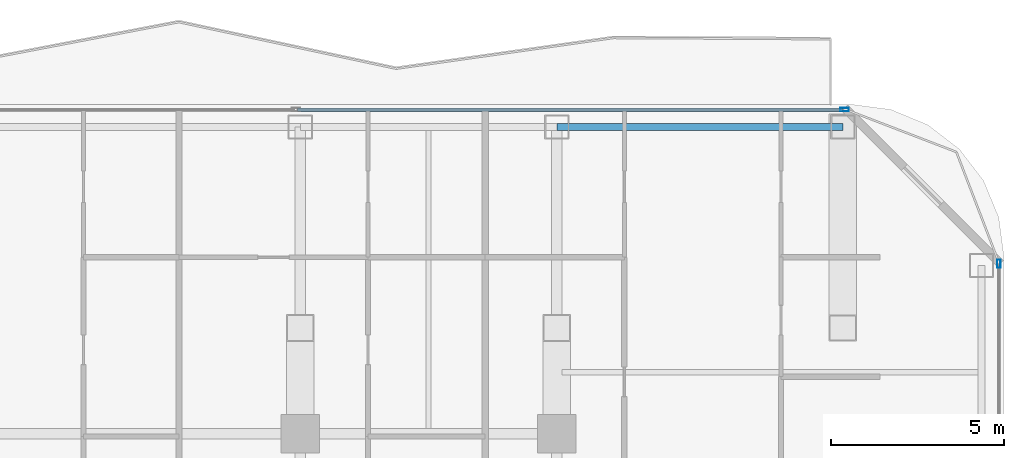
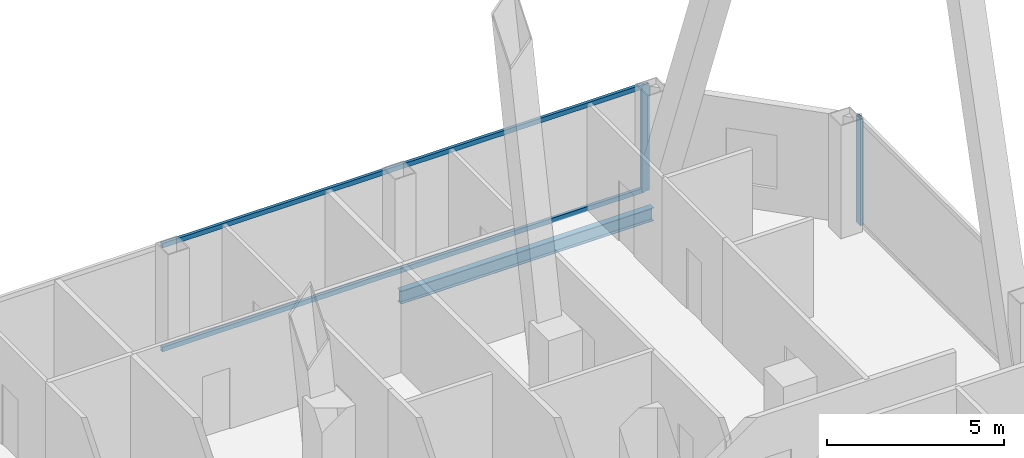
# One storey, part 19 of 28: 4 members, 1 beam, 2 elements without a shape of their own.
"""IFC4 building model written with IfcOpenShell, lengths in metres."""

from ifc_helpers import new_model, si_unit, direction, frame, origin, origin_2d, place, context, subcontext, project, spatial, hollow_rectangle, i_section, extrude, material, layer, layer_set, material_profile, profile_set, type_object, element, aggregate, save


model = new_model("IFC4")

# Units and contexts
model_context = context("Model", 3, precision=1e-05, world=origin(), true_north=direction((0.0, 1.0)))
body_context = subcontext(model_context, "Body", "Model", "MODEL_VIEW")
ifc_project = project(units=[si_unit("LENGTHUNIT", "METRE"), si_unit("AREAUNIT", "SQUARE_METRE"), si_unit("VOLUMEUNIT", "CUBIC_METRE"), si_unit("PLANEANGLEUNIT", "RADIAN"), si_unit("MASSUNIT", "GRAM", prefix="KILO")], contexts=[model_context])

# Site, building, storey
site_placement = place(None, origin())
site = spatial("IfcSite", under=ifc_project, at=site_placement, CompositionType="ELEMENT")
building_placement = place(site_placement, origin())
building = spatial("IfcBuilding", under=site, at=building_placement, Name="Khorvyn Point Tower", CompositionType="ELEMENT")
storey_placement = place(building_placement, frame((0.0, 0.0, 121.199951171875)))
storey = spatial("IfcBuildingStorey", under=building, at=storey_placement, Name="L30", CompositionType="ELEMENT", Elevation=121.199951171875)

# Curtain wall, member
ifc_material_1 = material(Name="Anodised aluminium 6063-T6 and laminated Low-E glass", Category="aluminium")
ifc_layer = layer(ifc_material_1, 0.18994140625)
ifc_layer_set = layer_set([ifc_layer], Name="Stick-Built Acoustic Curtain Wall CW-SYS-03")
curtain_wall_type = type_object("IfcCurtainWallType", Name="Stick-Built Acoustic Curtain Wall CW-SYS-03", PredefinedType="NOTDEFINED", material=ifc_layer_set)
curtain_wall_1_placement = place(storey_placement, origin())
curtain_wall_1 = element("IfcCurtainWall", 1, at=curtain_wall_1_placement, inside=storey, type_object=curtain_wall_type, Name="Curtain Wall", PredefinedType="NOTDEFINED")
ifc_material_2 = material(Name="Anodised aluminium 6063-T6", Category="aluminium")
ifc_material_profile_1 = material_profile(ifc_material_2, hollow_rectangle(XDim=0.10009765625, YDim=0.239990234375, WallThickness=0.0048828125, at=origin_2d()))
ifc_profile_set_1 = profile_set([ifc_material_profile_1], Name="Anodised aluminium 6063-T6 ALU-MUL-100x240")
member_type_1 = type_object("IfcMemberType", Name="Anodised Aluminium 6063-T6 Mullion ALU-MUL-100x240", PredefinedType="MULLION", material=ifc_profile_set_1)
member_1_placement = place(storey_placement, frame((23.10009765625, 29.449951171875, 0.0), z_axis=(0.0, 0.0, 1.0), x_axis=(0.0, 1.0, 0.0)))
member_1 = element("IfcMember", 2, at=member_1_placement, type_object=member_type_1, Name="Transom", PredefinedType="MULLION", context=body_context, shape_type="SweptSolid", body=[
    extrude(hollow_rectangle(XDim=0.10009765625, YDim=0.239990234375, WallThickness=0.0048828125, at=origin_2d()), origin(), (0.0, 0.0, 1.0), 3.679931640625),
])

curtain_wall_2_placement = place(storey_placement, origin())
curtain_wall_2 = element("IfcCurtainWall", 3, at=curtain_wall_2_placement, inside=storey, type_object=curtain_wall_type, Name="Curtain Wall", PredefinedType="NOTDEFINED")
member_2_placement = place(storey_placement, frame((27.550048828125, 25.0, 0.0), z_axis=(0.0, 0.0, 1.0), x_axis=(1.0, 0.0, 0.0)))
member_2 = element("IfcMember", 4, at=member_2_placement, type_object=member_type_1, Name="Transom", PredefinedType="MULLION", context=body_context, shape_type="SweptSolid", body=[
    extrude(hollow_rectangle(XDim=0.10009765625, YDim=0.239990234375, WallThickness=0.0048828125, at=origin_2d()), origin(), (0.0, 0.0, 1.0), 3.679931640625),
])
aggregate(curtain_wall_2, [member_2])

# Member
ifc_material_profile_2 = material_profile(ifc_material_2, hollow_rectangle(XDim=0.10009765625, YDim=0.159912109375, WallThickness=0.00439453125, at=origin_2d()))
ifc_profile_set_2 = profile_set([ifc_material_profile_2], Name="Anodised aluminium 6063-T6 ALU-TRN-100x160")
member_type_2 = type_object("IfcMemberType", Name="Anodised Aluminium 6063-T6 Transom ALU-TRN-100x160", PredefinedType="USERDEFINED", material=ifc_profile_set_2)
member_3_placement = place(storey_placement, frame((7.325439453125, 29.449951171875, 0.050048828125), z_axis=(1.0, 0.0, 0.0), x_axis=(0.0, 1.0, 0.0)))
member_3 = element("IfcMember", 5, at=member_3_placement, type_object=member_type_2, Name="Transom", ObjectType="TRANSOM", PredefinedType="USERDEFINED", context=body_context, shape_type="SweptSolid", body=[
    extrude(hollow_rectangle(XDim=0.10009765625, YDim=0.159912109375, WallThickness=0.00439453125, at=origin_2d()), origin(), (0.0, 0.0, 1.0), 15.724609375),
])

member_4_placement = place(storey_placement, frame((7.325439453125, 29.449951171875, 3.630126953125), z_axis=(1.0, 0.0, 0.0), x_axis=(0.0, 1.0, 0.0)))
member_4 = element("IfcMember", 6, at=member_4_placement, type_object=member_type_2, Name="Transom", ObjectType="TRANSOM", PredefinedType="USERDEFINED", context=body_context, shape_type="SweptSolid", body=[
    extrude(hollow_rectangle(XDim=0.10009765625, YDim=0.159912109375, WallThickness=0.00439453125, at=origin_2d()), origin(), (0.0, 0.0, 1.0), 15.724609375),
])

aggregate(curtain_wall_1, [member_1, member_3, member_4])

# Beam
ifc_material_3 = material(Name="Steel S355", Category="steel")
ifc_material_profile_3 = material_profile(ifc_material_3, i_section(OverallWidth=0.199951171875, OverallDepth=0.449951171875, WebThickness=0.009033203125, FlangeThickness=0.013916015625, at=origin_2d()))
ifc_profile_set_3 = profile_set([ifc_material_profile_3], Name="Steel S355 H450x200x9x14")
beam_type = type_object("IfcBeamType", Name="Steel S355 Spandrel H450x200x9x14", PredefinedType="SPANDREL", material=ifc_profile_set_3)
beam_placement = place(storey_placement, frame((14.800048828125, 28.949951171875, -0.445068359375), z_axis=(1.0, 0.0, 0.0), x_axis=(0.0, 1.0, 0.0)))
element("IfcBeam", 7, at=beam_placement, inside=storey, type_object=beam_type, Name="Beam", PredefinedType="SPANDREL", context=body_context, shape_type="SweptSolid", body=[
    extrude(i_section(OverallWidth=0.199951171875, OverallDepth=0.449951171875, WebThickness=0.009033203125, FlangeThickness=0.013916015625, at=origin_2d()), origin(), (0.0, 0.0, 1.0), 8.25),
])

save(model, "model.ifc")
